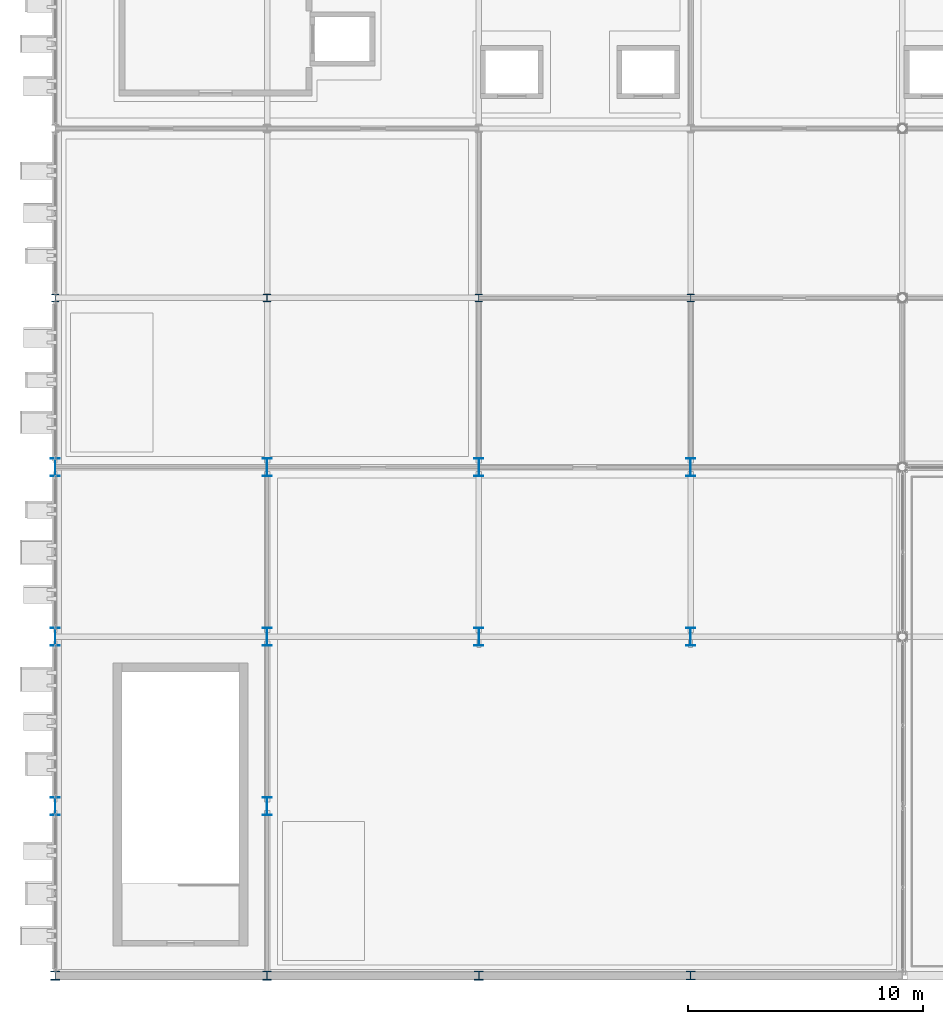
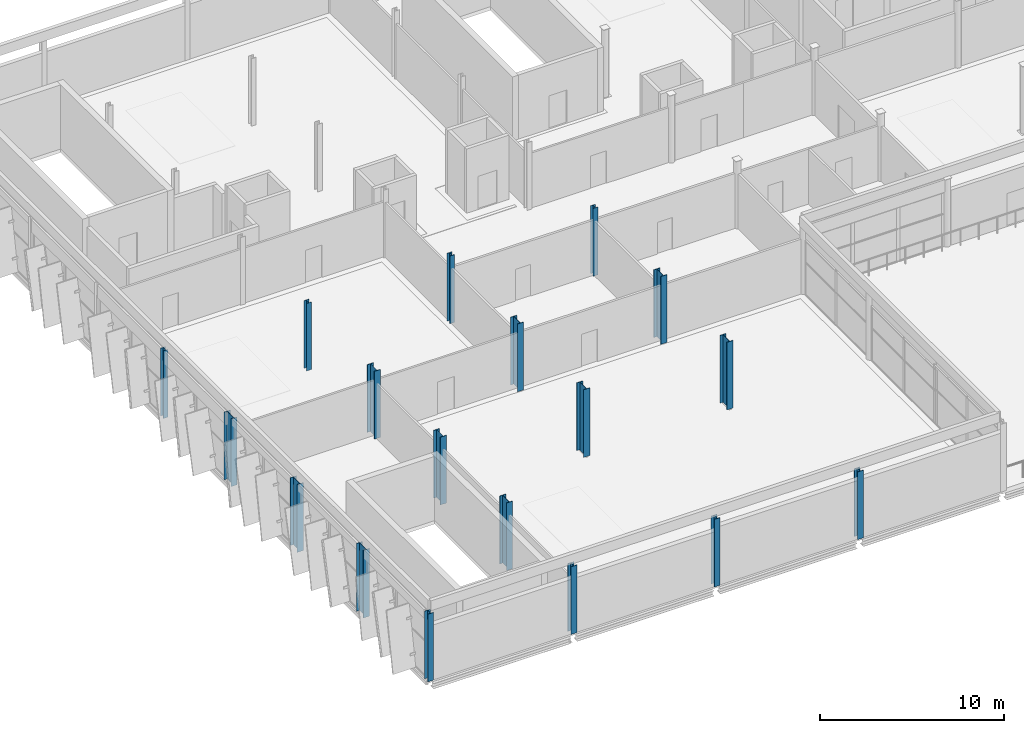
# One storey, part 1 of 52: 18 columns.
"""IFC4 building model written with IfcOpenShell, lengths in metres."""

from ifc_helpers import new_model, si_unit, direction, frame, origin, origin_2d, place, context, subcontext, project, spatial, i_section, extrude, material, material_profile, profile_set, type_object, element, save


model = new_model("IFC4")

# Units and contexts
model_context = context("Model", 3, precision=1e-05, world=origin(), true_north=direction((0.0, 1.0)))
body_context = subcontext(model_context, "Body", "Model", "MODEL_VIEW")
ifc_project = project(units=[si_unit("LENGTHUNIT", "METRE"), si_unit("AREAUNIT", "SQUARE_METRE"), si_unit("VOLUMEUNIT", "CUBIC_METRE"), si_unit("PLANEANGLEUNIT", "RADIAN"), si_unit("MASSUNIT", "GRAM", prefix="KILO")], contexts=[model_context])

# Site, building, storey
site_placement = place(None, origin())
site = spatial("IfcSite", under=ifc_project, at=site_placement, CompositionType="ELEMENT")
building_placement = place(site_placement, origin())
building = spatial("IfcBuilding", under=site, at=building_placement, Name="Celestram Park Convention Centre", CompositionType="ELEMENT")
storey_placement = place(building_placement, frame((0.0, 0.0, 24.300048828125)))
storey = spatial("IfcBuildingStorey", under=building, at=storey_placement, Name="L05", CompositionType="ELEMENT", Elevation=24.300048828125)

# Columns
ifc_material = material(Name="Steel ASTM A992 Grade 50", Category="steel")
ifc_material_profile_1 = material_profile(ifc_material, i_section(OverallWidth=0.304931640625, OverallDepth=0.306884765625, WebThickness=0.010009765625, FlangeThickness=0.015380859375, at=origin_2d()), Name="W12X65")
ifc_profile_set_1 = profile_set([ifc_material_profile_1], Name="Steel ASTM A992 Grade 50")
column_type_1 = type_object("IfcColumnType", Name="STR-COL-W12X65", PredefinedType="COLUMN", material=ifc_profile_set_1)
for number, where, z_axis, x_axis, name in (
    (1, (36.0, 136.800048828125, 0.0), (0.0, 0.0, 1.0), (1.0, 0.0, 0.0), "Column CN-L05-005"),
    (2, (45.0, 136.800048828125, 0.0), (0.0, 0.0, 1.0), (1.0, 0.0, 0.0), "Column CN-L05-014"),
    (3, (54.0, 136.800048828125, 0.0), (0.0, 0.0, 1.0), (1.0, 0.0, 0.0), "Column CN-L05-022"),
    (4, (63.0, 136.800048828125, 0.0), (0.0, 0.0, 1.0), (1.0, 0.0, 0.0), "Column CN-L05-030"),
):
    element("IfcColumn", number, at=place(storey_placement, frame(where, z_axis=z_axis, x_axis=x_axis)), inside=storey, type_object=column_type_1, Name=name, PredefinedType="COLUMN", context=body_context, shape_type="SweptSolid", body=[
        extrude(i_section(OverallWidth=0.304931640625, OverallDepth=0.306884765625, WebThickness=0.010009765625, FlangeThickness=0.015380859375, at=origin_2d()), origin(), (0.0, 0.0, 1.0), 4.5),
    ])
ifc_material_profile_2 = material_profile(ifc_material, i_section(OverallWidth=0.373046875, OverallDepth=0.373046875, WebThickness=0.016357421875, FlangeThickness=0.026123046875, at=origin_2d()), Name="W14X132")
ifc_profile_set_2 = profile_set([ifc_material_profile_2], Name="Steel ASTM A992 Grade 50")
column_type_2 = type_object("IfcColumnType", Name="STR-COL-W14X132", PredefinedType="COLUMN", material=ifc_profile_set_2)
for number, where, z_axis, x_axis, name in (
    (5, (36.0, 108.0, 0.0), (0.0, 0.0, 1.0), (1.0, 0.0, 0.0), "Column CN-L05-001"),
    (6, (45.0, 108.0, 0.0), (0.0, 0.0, 1.0), (1.0, 0.0, 0.0), "Column CN-L05-010"),
    (7, (54.0, 108.0, 0.0), (0.0, 0.0, 1.0), (1.0, 0.0, 0.0), "Column CN-L05-019"),
    (8, (63.0, 108.0, 0.0), (0.0, 0.0, 1.0), (1.0, 0.0, 0.0), "Column CN-L05-027"),
):
    element("IfcColumn", number, at=place(storey_placement, frame(where, z_axis=z_axis, x_axis=x_axis)), inside=storey, type_object=column_type_2, Name=name, PredefinedType="COLUMN", context=body_context, shape_type="SweptSolid", body=[
        extrude(i_section(OverallWidth=0.373046875, OverallDepth=0.373046875, WebThickness=0.016357421875, FlangeThickness=0.026123046875, at=origin_2d()), origin(), (0.0, 0.0, 1.0), 4.5),
    ])
ifc_material_profile_3 = material_profile(ifc_material, i_section(OverallWidth=0.381103515625, OverallDepth=0.77197265625, WebThickness=0.0166015625, FlangeThickness=0.027099609375, at=origin_2d()), Name="W30X173")
ifc_profile_set_3 = profile_set([ifc_material_profile_3], Name="Steel ASTM A992 Grade 50")
column_type_3 = type_object("IfcColumnType", Name="STR-COL-W30X173", PredefinedType="COLUMN", material=ifc_profile_set_3)
for number, where, z_axis, x_axis, name in (
    (9, (36.0, 115.199951171875, 0.0), (0.0, 0.0, 1.0), (1.0, 0.0, 0.0), "Column CN-L05-002"),
    (10, (36.0, 122.39990234375, 0.0), (0.0, 0.0, 1.0), (1.0, 0.0, 0.0), "Column CN-L05-003"),
    (11, (36.0, 129.60009765625, 0.0), (0.0, 0.0, 1.0), (1.0, 0.0, 0.0), "Column CN-L05-004"),
    (12, (45.0, 115.199951171875, 0.0), (0.0, 0.0, 1.0), (1.0, 0.0, 0.0), "Column CN-L05-011"),
    (13, (45.0, 122.39990234375, 0.0), (0.0, 0.0, 1.0), (1.0, 0.0, 0.0), "Column CN-L05-012"),
    (14, (45.0, 129.60009765625, 0.0), (0.0, 0.0, 1.0), (1.0, 0.0, 0.0), "Column CN-L05-013"),
    (15, (54.0, 122.39990234375, 0.0), (0.0, 0.0, 1.0), (1.0, 0.0, 0.0), "Column CN-L05-020"),
    (16, (54.0, 129.60009765625, 0.0), (0.0, 0.0, 1.0), (1.0, 0.0, 0.0), "Column CN-L05-021"),
    (17, (63.0, 122.39990234375, 0.0), (0.0, 0.0, 1.0), (1.0, 0.0, 0.0), "Column CN-L05-028"),
    (18, (63.0, 129.60009765625, 0.0), (0.0, 0.0, 1.0), (1.0, 0.0, 0.0), "Column CN-L05-029"),
):
    element("IfcColumn", number, at=place(storey_placement, frame(where, z_axis=z_axis, x_axis=x_axis)), inside=storey, type_object=column_type_3, Name=name, PredefinedType="COLUMN", context=body_context, shape_type="SweptSolid", body=[
        extrude(i_section(OverallWidth=0.381103515625, OverallDepth=0.77197265625, WebThickness=0.0166015625, FlangeThickness=0.027099609375, at=origin_2d()), origin(), (0.0, 0.0, 1.0), 4.5),
    ])

save(model, "model.ifc")
